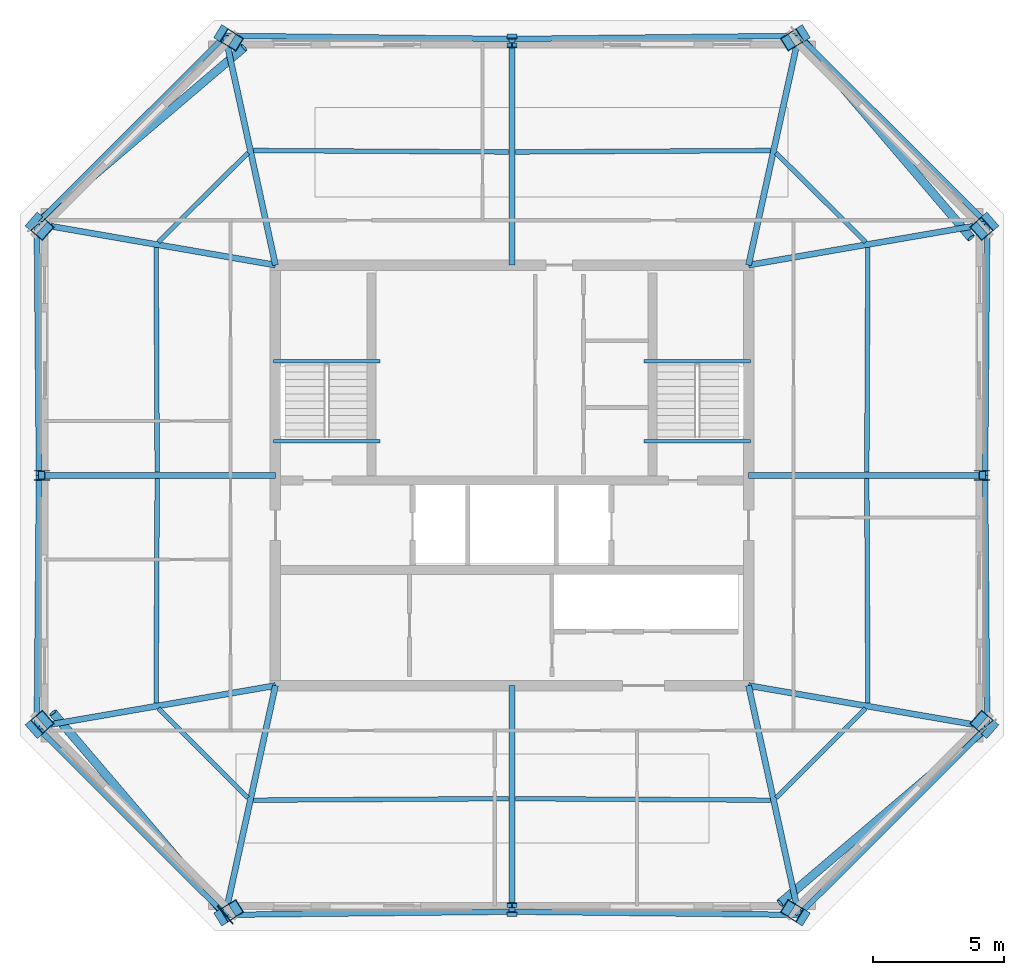
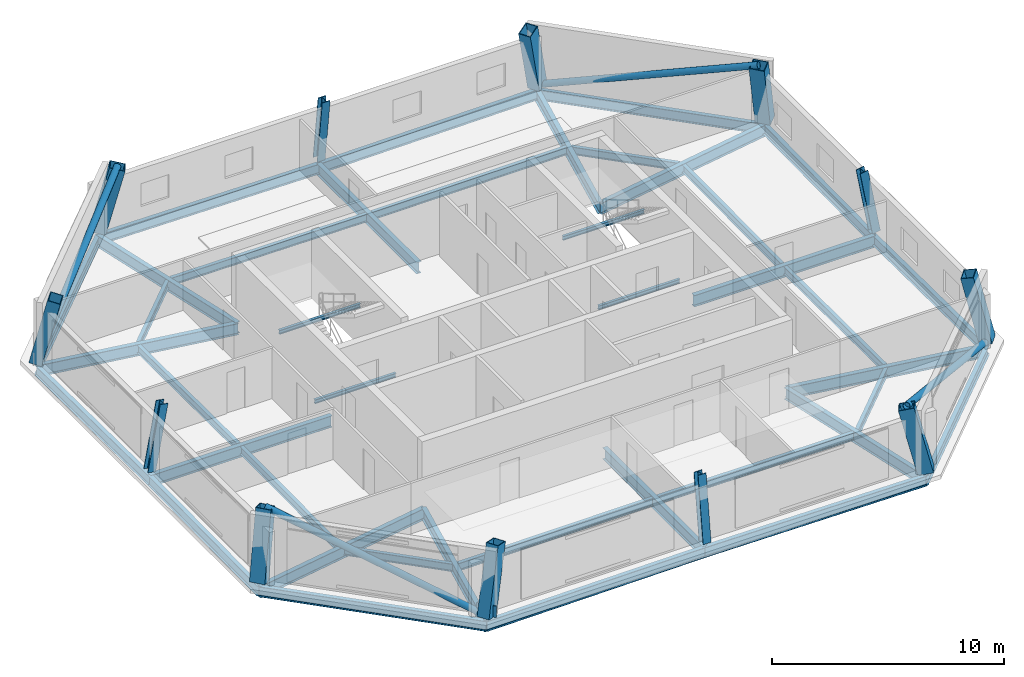
# One storey, part 1 of 6: 40 beams, 12 columns, 4 members, 1 plate.
"""IFC4 building model written with IfcOpenShell, lengths in metres."""

from ifc_helpers import new_model, si_unit, direction, frame, origin, origin_2d, place, context, subcontext, project, spatial, rectangle, hollow_rectangle, hollow_circle, i_section, extrude, material, layer, layer_set, material_profile, profile_set, type_object, element, save


model = new_model("IFC4")

# Units and contexts
model_context = context("Model", 3, precision=1e-05, world=origin(), true_north=direction((0.0, 1.0)))
body_context = subcontext(model_context, "Body", "Model", "MODEL_VIEW")
ifc_project = project(units=[si_unit("LENGTHUNIT", "METRE"), si_unit("AREAUNIT", "SQUARE_METRE"), si_unit("VOLUMEUNIT", "CUBIC_METRE"), si_unit("PLANEANGLEUNIT", "RADIAN"), si_unit("MASSUNIT", "GRAM", prefix="KILO")], contexts=[model_context])

# Site, building, storey
site_placement = place(None, origin())
site = spatial("IfcSite", under=ifc_project, at=site_placement, CompositionType="ELEMENT")
building_placement = place(site_placement, origin())
building = spatial("IfcBuilding", under=site, at=building_placement, Name="Caelvoria Tower", CompositionType="ELEMENT")
storey_placement = place(building_placement, frame((0.0, 0.0, 268.199951171875)))
storey = spatial("IfcBuildingStorey", under=building, at=storey_placement, Name="L71", CompositionType="ELEMENT", Elevation=268.199951171875)

# Columns
ifc_material_1 = material(Name="Structural Steel ASTM A572 Gr.50", Category="steel")
ifc_material_profile_1 = material_profile(ifc_material_1, hollow_rectangle(XDim=0.580078125, YDim=0.699951171875, WallThickness=0.031982421875, at=origin_2d()), Name="Structural Steel ASTM A572 Gr.50")
ifc_profile_set_1 = profile_set([ifc_material_profile_1], Name="BOX700X580X32 - Structural Steel ASTM A572 Gr.50")
column_type_1 = type_object("IfcColumnType", Name="Mega Box Column 700x580x32", PredefinedType="COLUMN", material=ifc_profile_set_1)
for number, where, z_axis, x_axis, name in (
    (1, (35.0888671875, 15.275634765625, 0.0), (0.204686751755, 0.127630689066, 0.97047088615), (-0.529108691454, 0.848554059932, 0.0), "Perimeter Megaframe Column L71-P00"),
    (2, (56.9111328125, 15.275634765625, 0.0), (-0.204686751755, 0.127630689066, 0.97047088615), (-0.529108691454, -0.848554059932, 0.0), "Perimeter Megaframe Column L71-P02"),
):
    element("IfcColumn", number, at=place(storey_placement, frame(where, z_axis=z_axis, x_axis=x_axis)), inside=storey, type_object=column_type_1, Name=name, PredefinedType="COLUMN", context=body_context, shape_type="SweptSolid", body=[
        extrude(hollow_rectangle(XDim=0.580078125, YDim=0.699951171875, WallThickness=0.031982421875, at=origin_2d()), origin(), (0.0, 0.0, 1.0), 3.4755859375),
    ])
for number, where, z_axis, x_axis, name in (
    (3, (64.086181640625, 22.427734375, 0.0), (-0.177666210098, 0.155370015085, 0.971748360535), (0.731494530151, -0.639695731236, 0.236019329289), "Perimeter Megaframe Column L71-P03"),
    (4, (64.086181640625, 41.572265625, 0.0), (-0.177666210098, -0.155370015085, 0.971748360535), (0.731494530151, 0.639695731236, 0.236019329289), "Perimeter Megaframe Column L71-P05"),
):
    element("IfcColumn", number, at=place(storey_placement, frame(where, z_axis=z_axis, x_axis=x_axis)), inside=storey, type_object=column_type_1, Name=name, PredefinedType="COLUMN", context=body_context, shape_type="SweptSolid", body=[
        extrude(hollow_rectangle(XDim=0.580078125, YDim=0.699951171875, WallThickness=0.031982421875, at=origin_2d()), origin(), (0.0, 0.0, 1.0), 3.47119140625),
    ])
for number, where, z_axis, x_axis, name in (
    (5, (56.9111328125, 48.724365234375, 0.0), (-0.204686751755, -0.127630689066, 0.97047088615), (0.529108691454, -0.848554059932, 0.0), "Perimeter Megaframe Column L71-P06"),
    (6, (35.0888671875, 48.724365234375, 0.0), (0.204686751755, -0.127630689066, 0.97047088615), (0.529108691454, 0.848554059932, 0.0), "Perimeter Megaframe Column L71-P08"),
):
    element("IfcColumn", number, at=place(storey_placement, frame(where, z_axis=z_axis, x_axis=x_axis)), inside=storey, type_object=column_type_1, Name=name, PredefinedType="COLUMN", context=body_context, shape_type="SweptSolid", body=[
        extrude(hollow_rectangle(XDim=0.580078125, YDim=0.699951171875, WallThickness=0.031982421875, at=origin_2d()), origin(), (0.0, 0.0, 1.0), 3.4755859375),
    ])
for number, where, z_axis, x_axis, name in (
    (7, (27.913818359375, 41.572265625, 0.0), (0.177666210098, -0.155370015085, 0.971748360535), (-0.731494530151, 0.639695731236, 0.236019329289), "Perimeter Megaframe Column L71-P09"),
    (8, (27.913818359375, 22.427734375, 0.0), (0.177666210098, 0.155370015085, 0.971748360535), (-0.731494530151, -0.639695731236, 0.236019329289), "Perimeter Megaframe Column L71-P11"),
):
    element("IfcColumn", number, at=place(storey_placement, frame(where, z_axis=z_axis, x_axis=x_axis)), inside=storey, type_object=column_type_1, Name=name, PredefinedType="COLUMN", context=body_context, shape_type="SweptSolid", body=[
        extrude(hollow_rectangle(XDim=0.580078125, YDim=0.699951171875, WallThickness=0.031982421875, at=origin_2d()), origin(), (0.0, 0.0, 1.0), 3.47119140625),
    ])
ifc_material_2 = material(Name="Structural Steel ASTM A992 Gr.50", Category="steel")
ifc_material_profile_2 = material_profile(ifc_material_2, i_section(OverallWidth=0.39501953125, OverallDepth=0.3798828125, WebThickness=0.018798828125, FlangeThickness=0.0302734375, FilletRadius=0.02490234375, at=origin_2d()), Name="Structural Steel ASTM A992 Gr.50")
ifc_profile_set_2 = profile_set([ifc_material_profile_2], Name="W360X237 - Structural Steel ASTM A992 Gr.50")
column_type_2 = type_object("IfcColumnType", Name="Summit Frame Column W360X237", PredefinedType="COLUMN", material=ifc_profile_set_2)
column_1_placement = place(storey_placement, frame((46.0, 15.392578125, 0.0), z_axis=(0.0, 0.128344855493, 0.99172959927), x_axis=(-1.0, 0.0, 0.0)))
element("IfcColumn", 9, at=column_1_placement, inside=storey, type_object=column_type_2, Name="Perimeter Megaframe Column L71-P01", PredefinedType="COLUMN", context=body_context, shape_type="SweptSolid", body=[
    extrude(i_section(OverallWidth=0.39501953125, OverallDepth=0.3798828125, WebThickness=0.018798828125, FlangeThickness=0.0302734375, FilletRadius=0.02490234375, at=origin_2d()), origin(), (0.0, 0.0, 1.0), 3.401123046875),
])
column_2_placement = place(storey_placement, frame((64.002685546875, 32.0, 0.0), z_axis=(-0.178954370443, 0.0, 0.98385737447), x_axis=(0.98385737447, 0.0, 0.178954370443)))
element("IfcColumn", 10, at=column_2_placement, inside=storey, type_object=column_type_2, Name="Perimeter Megaframe Column L71-P04", PredefinedType="COLUMN", context=body_context, shape_type="SweptSolid", body=[
    extrude(i_section(OverallWidth=0.39501953125, OverallDepth=0.3798828125, WebThickness=0.018798828125, FlangeThickness=0.0302734375, FilletRadius=0.02490234375, at=origin_2d()), origin(), (0.0, 0.0, 1.0), 3.428466796875),
])
column_3_placement = place(storey_placement, frame((46.0, 48.607421875, 0.0), z_axis=(0.0, -0.128344855493, 0.99172959927), x_axis=(1.0, 0.0, 0.0)))
element("IfcColumn", 11, at=column_3_placement, inside=storey, type_object=column_type_2, Name="Perimeter Megaframe Column L71-P07", PredefinedType="COLUMN", context=body_context, shape_type="SweptSolid", body=[
    extrude(i_section(OverallWidth=0.39501953125, OverallDepth=0.3798828125, WebThickness=0.018798828125, FlangeThickness=0.0302734375, FilletRadius=0.02490234375, at=origin_2d()), origin(), (0.0, 0.0, 1.0), 3.401123046875),
])
column_4_placement = place(storey_placement, frame((27.997314453125, 32.0, 0.0), z_axis=(0.178954370443, 0.0, 0.98385737447), x_axis=(-0.98385737447, 0.0, 0.178954370443)))
element("IfcColumn", 12, at=column_4_placement, inside=storey, type_object=column_type_2, Name="Perimeter Megaframe Column L71-P10", PredefinedType="COLUMN", context=body_context, shape_type="SweptSolid", body=[
    extrude(i_section(OverallWidth=0.39501953125, OverallDepth=0.3798828125, WebThickness=0.018798828125, FlangeThickness=0.0302734375, FilletRadius=0.02490234375, at=origin_2d()), origin(), (0.0, 0.0, 1.0), 3.428466796875),
])

# Beams
ifc_material_profile_3 = material_profile(ifc_material_2, i_section(OverallWidth=0.134033203125, OverallDepth=0.2099609375, WebThickness=0.00634765625, FlangeThickness=0.01025390625, FilletRadius=0.010009765625, at=origin_2d()), Name="Structural Steel ASTM A992 Gr.50")
ifc_profile_set_3 = profile_set([ifc_material_profile_3], Name="W200X31.3 - Structural Steel ASTM A992 Gr.50")
beam_type_1 = type_object("IfcBeamType", Name="Canopy Edge Trim Beam W200X31.3", PredefinedType="BEAM", material=ifc_profile_set_3)
for number, where, z_axis, x_axis, name in (
    (13, (36.929931640625, 36.35009765625, 1.4951171875), (1.0, 0.0, 0.0), (0.0, 1.0, 0.0), "ST-01 Half-Landing Support Beam L71"),
    (14, (36.929931640625, 33.300048828125, -0.304931640625), (1.0, 0.0, 0.0), (0.0, 1.0, 0.0), "ST-01 Floor-Landing Support Beam L71"),
    (15, (51.030029296875, 36.35009765625, 1.4951171875), (1.0, 0.0, 0.0), (0.0, 1.0, 0.0), "ST-02 Half-Landing Support Beam L71"),
    (16, (51.030029296875, 33.300048828125, -0.304931640625), (1.0, 0.0, 0.0), (0.0, 1.0, 0.0), "ST-02 Floor-Landing Support Beam L71"),
):
    element("IfcBeam", number, at=place(storey_placement, frame(where, z_axis=z_axis, x_axis=x_axis)), inside=storey, type_object=beam_type_1, Name=name, PredefinedType="BEAM", context=body_context, shape_type="SweptSolid", body=[
        extrude(i_section(OverallWidth=0.134033203125, OverallDepth=0.2099609375, WebThickness=0.00634765625, FlangeThickness=0.01025390625, FilletRadius=0.010009765625, at=origin_2d()), origin(), (0.0, 0.0, 1.0), 4.0400390625),
    ])
ifc_material_profile_4 = material_profile(ifc_material_2, i_section(OverallWidth=0.22802734375, OverallDepth=0.60302734375, WebThickness=0.010498046875, FlangeThickness=0.014892578125, FilletRadius=0.01806640625, at=origin_2d()), Name="Structural Steel ASTM A992 Gr.50")
ifc_profile_set_4 = profile_set([ifc_material_profile_4], Name="W610X101 - Structural Steel ASTM A992 Gr.50")
beam_type_2 = type_object("IfcBeamType", Name="Primary Floor Girder W610X101", PredefinedType="BEAM", material=ifc_profile_set_4)
beam_1_placement = place(storey_placement, frame((37.0, 24.0, -0.5263671875), z_axis=(-0.213983014438, -0.976837381314, 0.0), x_axis=(0.976837381314, -0.213983014438, 0.0)))
element("IfcBeam", 17, at=beam_1_placement, inside=storey, type_object=beam_type_2, Name="Primary Floor Girder L71-00", PredefinedType="BEAM", context=body_context, shape_type="SweptSolid", body=[
    extrude(i_section(OverallWidth=0.22802734375, OverallDepth=0.60302734375, WebThickness=0.010498046875, FlangeThickness=0.014892578125, FilletRadius=0.01806640625, at=origin_2d()), origin(), (0.0, 0.0, 1.0), 8.93115234375),
])
beam_2_placement = place(storey_placement, frame((46.0, 24.0, -0.5263671875), z_axis=(0.0, -1.0, 0.0), x_axis=(1.0, 0.0, 0.0)))
element("IfcBeam", 18, at=beam_2_placement, inside=storey, type_object=beam_type_2, Name="Primary Floor Girder L71-01", PredefinedType="BEAM", context=body_context, shape_type="SweptSolid", body=[
    extrude(i_section(OverallWidth=0.22802734375, OverallDepth=0.60302734375, WebThickness=0.010498046875, FlangeThickness=0.014892578125, FilletRadius=0.01806640625, at=origin_2d()), origin(), (0.0, 0.0, 1.0), 8.607421875),
])
beam_3_placement = place(storey_placement, frame((55.0, 24.0, -0.5263671875), z_axis=(0.213983014438, -0.976837381314, 0.0), x_axis=(0.976837381314, 0.213983014438, 0.0)))
element("IfcBeam", 19, at=beam_3_placement, inside=storey, type_object=beam_type_2, Name="Primary Floor Girder L71-02", PredefinedType="BEAM", context=body_context, shape_type="SweptSolid", body=[
    extrude(i_section(OverallWidth=0.22802734375, OverallDepth=0.60302734375, WebThickness=0.010498046875, FlangeThickness=0.014892578125, FilletRadius=0.01806640625, at=origin_2d()), origin(), (0.0, 0.0, 1.0), 8.93115234375),
])
beam_4_placement = place(storey_placement, frame((55.0, 24.0, -0.5263671875), z_axis=(0.985356751055, -0.170505346395, 0.0), x_axis=(0.170505346395, 0.985356751055, 0.0)))
element("IfcBeam", 20, at=beam_4_placement, inside=storey, type_object=beam_type_2, Name="Primary Floor Girder L71-03", PredefinedType="BEAM", context=body_context, shape_type="SweptSolid", body=[
    extrude(i_section(OverallWidth=0.22802734375, OverallDepth=0.60302734375, WebThickness=0.010498046875, FlangeThickness=0.014892578125, FilletRadius=0.01806640625, at=origin_2d()), origin(), (0.0, 0.0, 1.0), 9.22119140625),
])
beam_5_placement = place(storey_placement, frame((55.0, 32.0, -0.5263671875), z_axis=(1.0, 0.0, 0.0), x_axis=(0.0, 1.0, 0.0)))
element("IfcBeam", 21, at=beam_5_placement, inside=storey, type_object=beam_type_2, Name="Primary Floor Girder L71-04", PredefinedType="BEAM", context=body_context, shape_type="SweptSolid", body=[
    extrude(i_section(OverallWidth=0.22802734375, OverallDepth=0.60302734375, WebThickness=0.010498046875, FlangeThickness=0.014892578125, FilletRadius=0.01806640625, at=origin_2d()), origin(), (0.0, 0.0, 1.0), 9.002685546875),
])
beam_6_placement = place(storey_placement, frame((55.0, 40.0, -0.5263671875), z_axis=(0.985356751055, 0.170505346395, 0.0), x_axis=(-0.170505346395, 0.985356751055, 0.0)))
element("IfcBeam", 22, at=beam_6_placement, inside=storey, type_object=beam_type_2, Name="Primary Floor Girder L71-05", PredefinedType="BEAM", context=body_context, shape_type="SweptSolid", body=[
    extrude(i_section(OverallWidth=0.22802734375, OverallDepth=0.60302734375, WebThickness=0.010498046875, FlangeThickness=0.014892578125, FilletRadius=0.01806640625, at=origin_2d()), origin(), (0.0, 0.0, 1.0), 9.22119140625),
])
beam_7_placement = place(storey_placement, frame((55.0, 40.0, -0.5263671875), z_axis=(0.213983014438, 0.976837381314, 0.0), x_axis=(-0.976837381314, 0.213983014438, 0.0)))
element("IfcBeam", 23, at=beam_7_placement, inside=storey, type_object=beam_type_2, Name="Primary Floor Girder L71-06", PredefinedType="BEAM", context=body_context, shape_type="SweptSolid", body=[
    extrude(i_section(OverallWidth=0.22802734375, OverallDepth=0.60302734375, WebThickness=0.010498046875, FlangeThickness=0.014892578125, FilletRadius=0.01806640625, at=origin_2d()), origin(), (0.0, 0.0, 1.0), 8.93115234375),
])
beam_8_placement = place(storey_placement, frame((46.0, 40.0, -0.5263671875), z_axis=(0.0, 1.0, 0.0), x_axis=(-1.0, 0.0, 0.0)))
element("IfcBeam", 24, at=beam_8_placement, inside=storey, type_object=beam_type_2, Name="Primary Floor Girder L71-07", PredefinedType="BEAM", context=body_context, shape_type="SweptSolid", body=[
    extrude(i_section(OverallWidth=0.22802734375, OverallDepth=0.60302734375, WebThickness=0.010498046875, FlangeThickness=0.014892578125, FilletRadius=0.01806640625, at=origin_2d()), origin(), (0.0, 0.0, 1.0), 8.607421875),
])
beam_9_placement = place(storey_placement, frame((37.0, 40.0, -0.5263671875), z_axis=(-0.213983014438, 0.976837381314, 0.0), x_axis=(-0.976837381314, -0.213983014438, 0.0)))
element("IfcBeam", 25, at=beam_9_placement, inside=storey, type_object=beam_type_2, Name="Primary Floor Girder L71-08", PredefinedType="BEAM", context=body_context, shape_type="SweptSolid", body=[
    extrude(i_section(OverallWidth=0.22802734375, OverallDepth=0.60302734375, WebThickness=0.010498046875, FlangeThickness=0.014892578125, FilletRadius=0.01806640625, at=origin_2d()), origin(), (0.0, 0.0, 1.0), 8.93115234375),
])
beam_10_placement = place(storey_placement, frame((37.0, 40.0, -0.5263671875), z_axis=(-0.985356751055, 0.170505346395, 0.0), x_axis=(-0.170505346395, -0.985356751055, 0.0)))
element("IfcBeam", 26, at=beam_10_placement, inside=storey, type_object=beam_type_2, Name="Primary Floor Girder L71-09", PredefinedType="BEAM", context=body_context, shape_type="SweptSolid", body=[
    extrude(i_section(OverallWidth=0.22802734375, OverallDepth=0.60302734375, WebThickness=0.010498046875, FlangeThickness=0.014892578125, FilletRadius=0.01806640625, at=origin_2d()), origin(), (0.0, 0.0, 1.0), 9.22119140625),
])
beam_11_placement = place(storey_placement, frame((37.0, 32.0, -0.5263671875), z_axis=(-1.0, 0.0, 0.0), x_axis=(0.0, -1.0, 0.0)))
element("IfcBeam", 27, at=beam_11_placement, inside=storey, type_object=beam_type_2, Name="Primary Floor Girder L71-10", PredefinedType="BEAM", context=body_context, shape_type="SweptSolid", body=[
    extrude(i_section(OverallWidth=0.22802734375, OverallDepth=0.60302734375, WebThickness=0.010498046875, FlangeThickness=0.014892578125, FilletRadius=0.01806640625, at=origin_2d()), origin(), (0.0, 0.0, 1.0), 9.002685546875),
])
beam_12_placement = place(storey_placement, frame((37.0, 24.0, -0.5263671875), z_axis=(-0.985356751055, -0.170505346395, 0.0), x_axis=(0.170505346395, -0.985356751055, 0.0)))
element("IfcBeam", 28, at=beam_12_placement, inside=storey, type_object=beam_type_2, Name="Primary Floor Girder L71-11", PredefinedType="BEAM", context=body_context, shape_type="SweptSolid", body=[
    extrude(i_section(OverallWidth=0.22802734375, OverallDepth=0.60302734375, WebThickness=0.010498046875, FlangeThickness=0.014892578125, FilletRadius=0.01806640625, at=origin_2d()), origin(), (0.0, 0.0, 1.0), 9.22119140625),
])
ifc_material_profile_5 = material_profile(ifc_material_2, i_section(OverallWidth=0.177978515625, OverallDepth=0.406982421875, WebThickness=0.0078125, FlangeThickness=0.0126953125, FilletRadius=0.013916015625, at=origin_2d()), Name="Structural Steel ASTM A992 Gr.50")
ifc_profile_set_5 = profile_set([ifc_material_profile_5], Name="W410X60 - Structural Steel ASTM A992 Gr.50")
beam_type_3 = type_object("IfcBeamType", Name="Secondary Floor Beam W410X60", PredefinedType="BEAM", material=ifc_profile_set_5)
for number, where, z_axis, x_axis, name in (
    (29, (36.16943359375, 19.638671875, -0.428466796875), (0.999982824516, 0.005860944763, 0.0), (-0.005860944763, 0.999982824516, 0.0), "Secondary Floor Beam L71-00"),
    (30, (46.125, 19.695556640625, -0.428466796875), (0.999982824516, -0.005860944763, 0.0), (0.005860944763, 0.999982824516, 0.0), "Secondary Floor Beam L71-01"),
):
    element("IfcBeam", number, at=place(storey_placement, frame(where, z_axis=z_axis, x_axis=x_axis)), inside=storey, type_object=beam_type_3, Name=name, PredefinedType="BEAM", context=body_context, shape_type="SweptSolid", body=[
        extrude(i_section(OverallWidth=0.177978515625, OverallDepth=0.406982421875, WebThickness=0.0078125, FlangeThickness=0.0126953125, FilletRadius=0.013916015625, at=origin_2d()), origin(), (0.0, 0.0, 1.0), 9.705810546875),
    ])
beam_13_placement = place(storey_placement, frame((56.044189453125, 19.72607421875, -0.428466796875), z_axis=(0.70822129044, 0.705990512519, 0.0), x_axis=(-0.705990512519, 0.70822129044, 0.0)))
element("IfcBeam", 31, at=beam_13_placement, inside=storey, type_object=beam_type_3, Name="Secondary Floor Beam L71-02", PredefinedType="BEAM", context=body_context, shape_type="SweptSolid", body=[
    extrude(i_section(OverallWidth=0.177978515625, OverallDepth=0.406982421875, WebThickness=0.0078125, FlangeThickness=0.0126953125, FilletRadius=0.013916015625, at=origin_2d()), origin(), (0.0, 0.0, 1.0), 4.8154296875),
])
for number, where, z_axis, x_axis, name in (
    (32, (59.54248046875, 23.3388671875, -0.428466796875), (-0.004747687025, 0.99998872967, 0.0), (-0.99998872967, -0.004747687025, 0.0), "Secondary Floor Beam L71-03"),
    (33, (59.501953125, 32.125, -0.428466796875), (0.004747687025, 0.99998872967, 0.0), (-0.99998872967, 0.004747687025, 0.0), "Secondary Floor Beam L71-04"),
):
    element("IfcBeam", number, at=place(storey_placement, frame(where, z_axis=z_axis, x_axis=x_axis)), inside=storey, type_object=beam_type_3, Name=name, PredefinedType="BEAM", context=body_context, shape_type="SweptSolid", body=[
        extrude(i_section(OverallWidth=0.177978515625, OverallDepth=0.406982421875, WebThickness=0.0078125, FlangeThickness=0.0126953125, FilletRadius=0.013916015625, at=origin_2d()), origin(), (0.0, 0.0, 1.0), 8.5361328125),
    ])
beam_14_placement = place(storey_placement, frame((59.45458984375, 40.874267578125, -0.428466796875), z_axis=(-0.70822129044, 0.705990512519, 0.0), x_axis=(-0.705990512519, -0.70822129044, 0.0)))
element("IfcBeam", 34, at=beam_14_placement, inside=storey, type_object=beam_type_3, Name="Secondary Floor Beam L71-05", PredefinedType="BEAM", context=body_context, shape_type="SweptSolid", body=[
    extrude(i_section(OverallWidth=0.177978515625, OverallDepth=0.406982421875, WebThickness=0.0078125, FlangeThickness=0.0126953125, FilletRadius=0.013916015625, at=origin_2d()), origin(), (0.0, 0.0, 1.0), 4.8154296875),
])
for number, where, z_axis, x_axis, name in (
    (35, (55.83056640625, 44.361328125, -0.428466796875), (-0.999982824516, -0.005860944763, 0.0), (0.005860944763, -0.999982824516, 0.0), "Secondary Floor Beam L71-06"),
    (36, (45.875, 44.304443359375, -0.428466796875), (-0.999982824516, 0.005860944763, 0.0), (-0.005860944763, -0.999982824516, 0.0), "Secondary Floor Beam L71-07"),
):
    element("IfcBeam", number, at=place(storey_placement, frame(where, z_axis=z_axis, x_axis=x_axis)), inside=storey, type_object=beam_type_3, Name=name, PredefinedType="BEAM", context=body_context, shape_type="SweptSolid", body=[
        extrude(i_section(OverallWidth=0.177978515625, OverallDepth=0.406982421875, WebThickness=0.0078125, FlangeThickness=0.0126953125, FilletRadius=0.013916015625, at=origin_2d()), origin(), (0.0, 0.0, 1.0), 9.705810546875),
    ])
beam_15_placement = place(storey_placement, frame((35.955810546875, 44.27392578125, -0.428466796875), z_axis=(-0.70822129044, -0.705990512519, 0.0), x_axis=(0.705990512519, -0.70822129044, 0.0)))
element("IfcBeam", 37, at=beam_15_placement, inside=storey, type_object=beam_type_3, Name="Secondary Floor Beam L71-08", PredefinedType="BEAM", context=body_context, shape_type="SweptSolid", body=[
    extrude(i_section(OverallWidth=0.177978515625, OverallDepth=0.406982421875, WebThickness=0.0078125, FlangeThickness=0.0126953125, FilletRadius=0.013916015625, at=origin_2d()), origin(), (0.0, 0.0, 1.0), 4.8154296875),
])
for number, where, z_axis, x_axis, name in (
    (38, (32.45751953125, 40.6611328125, -0.428466796875), (0.004747687025, -0.99998872967, 0.0), (0.99998872967, 0.004747687025, 0.0), "Secondary Floor Beam L71-09"),
    (39, (32.498046875, 31.875, -0.428466796875), (-0.004747687025, -0.99998872967, 0.0), (0.99998872967, -0.004747687025, 0.0), "Secondary Floor Beam L71-10"),
):
    element("IfcBeam", number, at=place(storey_placement, frame(where, z_axis=z_axis, x_axis=x_axis)), inside=storey, type_object=beam_type_3, Name=name, PredefinedType="BEAM", context=body_context, shape_type="SweptSolid", body=[
        extrude(i_section(OverallWidth=0.177978515625, OverallDepth=0.406982421875, WebThickness=0.0078125, FlangeThickness=0.0126953125, FilletRadius=0.013916015625, at=origin_2d()), origin(), (0.0, 0.0, 1.0), 8.5361328125),
    ])
beam_16_placement = place(storey_placement, frame((32.54541015625, 23.125732421875, -0.428466796875), z_axis=(0.70822129044, -0.705990512519, 0.0), x_axis=(0.705990512519, 0.70822129044, 0.0)))
element("IfcBeam", 40, at=beam_16_placement, inside=storey, type_object=beam_type_3, Name="Secondary Floor Beam L71-11", PredefinedType="BEAM", context=body_context, shape_type="SweptSolid", body=[
    extrude(i_section(OverallWidth=0.177978515625, OverallDepth=0.406982421875, WebThickness=0.0078125, FlangeThickness=0.0126953125, FilletRadius=0.013916015625, at=origin_2d()), origin(), (0.0, 0.0, 1.0), 4.8154296875),
])

# Members
ifc_material_profile_6 = material_profile(ifc_material_1, hollow_circle(Radius=0.162109375, WallThickness=0.0126953125, at=origin_2d()), Name="Structural Steel ASTM A572 Gr.50")
ifc_profile_set_6 = profile_set([ifc_material_profile_6], Name="CHS324X12.7 - Structural Steel ASTM A572 Gr.50")
member_type = type_object("IfcMemberType", Name="Summit Perimeter Mega Brace CHS324X12.7", PredefinedType="BRACE", material=ifc_profile_set_6)
member_1_placement = place(storey_placement, frame((64.086181640625, 22.427734375, 0.0), z_axis=(-0.724197456426, -0.616026304296, 0.309918757937), x_axis=(0.647928323452, -0.761701311321, 0.0)))
element("IfcMember", 41, at=member_1_placement, inside=storey, type_object=member_type, Name="Perimeter Chamfer Mega Brace L71 SE", PredefinedType="BRACE", context=body_context, shape_type="SweptSolid", body=[
    extrude(hollow_circle(Radius=0.162109375, WallThickness=0.0126953125, at=origin_2d()), origin(), (0.0, 0.0, 1.0), 10.889892578125),
])
member_2_placement = place(storey_placement, frame((56.9111328125, 48.724365234375, 0.0), z_axis=(0.615433722427, -0.721759445756, 0.31670907117), x_axis=(0.760930049401, 0.648833923218, 0.0)))
element("IfcMember", 42, at=member_2_placement, inside=storey, type_object=member_type, Name="Perimeter Chamfer Mega Brace L71 NE", PredefinedType="BRACE", context=body_context, shape_type="SweptSolid", body=[
    extrude(hollow_circle(Radius=0.162109375, WallThickness=0.0126953125, at=origin_2d()), origin(), (0.0, 0.0, 1.0), 10.656494140625),
])
member_3_placement = place(storey_placement, frame((27.913818359375, 41.572265625, 0.0), z_axis=(0.724197456426, 0.616026304296, 0.309918757937), x_axis=(-0.647928323452, 0.761701311321, 0.0)))
element("IfcMember", 43, at=member_3_placement, inside=storey, type_object=member_type, Name="Perimeter Chamfer Mega Brace L71 NW", PredefinedType="BRACE", context=body_context, shape_type="SweptSolid", body=[
    extrude(hollow_circle(Radius=0.162109375, WallThickness=0.0126953125, at=origin_2d()), origin(), (0.0, 0.0, 1.0), 10.889892578125),
])
member_4_placement = place(storey_placement, frame((35.0888671875, 15.275634765625, 0.0), z_axis=(-0.615433722427, 0.721759445756, 0.31670907117), x_axis=(-0.760930049401, -0.648833923218, 0.0)))
element("IfcMember", 44, at=member_4_placement, inside=storey, type_object=member_type, Name="Perimeter Chamfer Mega Brace L71 SW", PredefinedType="BRACE", context=body_context, shape_type="SweptSolid", body=[
    extrude(hollow_circle(Radius=0.162109375, WallThickness=0.0126953125, at=origin_2d()), origin(), (0.0, 0.0, 1.0), 10.656494140625),
])

# Beams
ifc_material_profile_7 = material_profile(ifc_material_2, i_section(OverallWidth=0.208984375, OverallDepth=0.532958984375, WebThickness=0.01025390625, FlangeThickness=0.015625, FilletRadius=0.01611328125, at=origin_2d()), Name="Structural Steel ASTM A992 Gr.50")
ifc_profile_set_7 = profile_set([ifc_material_profile_7], Name="W530X92 - Structural Steel ASTM A992 Gr.50")
beam_type_4 = type_object("IfcBeamType", Name="Upper Zone Spandrel W530X92", PredefinedType="BEAM", material=ifc_profile_set_7)
for number, where, z_axis, x_axis, name in (
    (45, (35.0888671875, 15.275634765625, -0.491455078125), (0.99994256931, 0.010717186313, 0.0), (-0.010717186313, 0.99994256931, 0.0), "Perimeter Spandrel Girder L71-00"),
    (46, (46.0, 15.392578125, -0.491455078125), (0.99994256931, -0.010717186313, 0.0), (0.010717186313, 0.99994256931, 0.0), "Perimeter Spandrel Girder L71-01"),
):
    element("IfcBeam", number, at=place(storey_placement, frame(where, z_axis=z_axis, x_axis=x_axis)), inside=storey, type_object=beam_type_4, Name=name, PredefinedType="BEAM", context=body_context, shape_type="SweptSolid", body=[
        extrude(i_section(OverallWidth=0.208984375, OverallDepth=0.532958984375, WebThickness=0.01025390625, FlangeThickness=0.015625, FilletRadius=0.01611328125, at=origin_2d()), origin(), (0.0, 0.0, 1.0), 10.911865234375),
    ])
beam_17_placement = place(storey_placement, frame((56.9111328125, 15.275634765625, -0.491455078125), z_axis=(0.708238515868, 0.705973232241, 0.0), x_axis=(-0.705973232241, 0.708238515868, 0.0)))
element("IfcBeam", 47, at=beam_17_placement, inside=storey, type_object=beam_type_4, Name="Perimeter Spandrel Girder L71-02", PredefinedType="BEAM", context=body_context, shape_type="SweptSolid", body=[
    extrude(i_section(OverallWidth=0.208984375, OverallDepth=0.532958984375, WebThickness=0.01025390625, FlangeThickness=0.015625, FilletRadius=0.01611328125, at=origin_2d()), origin(), (0.0, 0.0, 1.0), 10.130859375),
])
for number, where, z_axis, x_axis, name in (
    (48, (64.086181640625, 22.427734375, -0.491455078125), (-0.008722377833, 0.999961959339, 0.0), (-0.999961959339, -0.008722377833, 0.0), "Perimeter Spandrel Girder L71-03"),
    (49, (64.002685546875, 32.0, -0.491455078125), (0.008722377833, 0.999961959339, 0.0), (-0.999961959339, 0.008722377833, 0.0), "Perimeter Spandrel Girder L71-04"),
):
    element("IfcBeam", number, at=place(storey_placement, frame(where, z_axis=z_axis, x_axis=x_axis)), inside=storey, type_object=beam_type_4, Name=name, PredefinedType="BEAM", context=body_context, shape_type="SweptSolid", body=[
        extrude(i_section(OverallWidth=0.208984375, OverallDepth=0.532958984375, WebThickness=0.01025390625, FlangeThickness=0.015625, FilletRadius=0.01611328125, at=origin_2d()), origin(), (0.0, 0.0, 1.0), 9.572509765625),
    ])
beam_18_placement = place(storey_placement, frame((64.086181640625, 41.572265625, -0.491455078125), z_axis=(-0.708238515868, 0.705973232241, 0.0), x_axis=(-0.705973232241, -0.708238515868, 0.0)))
element("IfcBeam", 50, at=beam_18_placement, inside=storey, type_object=beam_type_4, Name="Perimeter Spandrel Girder L71-05", PredefinedType="BEAM", context=body_context, shape_type="SweptSolid", body=[
    extrude(i_section(OverallWidth=0.208984375, OverallDepth=0.532958984375, WebThickness=0.01025390625, FlangeThickness=0.015625, FilletRadius=0.01611328125, at=origin_2d()), origin(), (0.0, 0.0, 1.0), 10.130859375),
])
for number, where, z_axis, x_axis, name in (
    (51, (56.9111328125, 48.724365234375, -0.491455078125), (-0.99994256931, -0.010717186313, 0.0), (0.010717186313, -0.99994256931, 0.0), "Perimeter Spandrel Girder L71-06"),
    (52, (46.0, 48.607421875, -0.491455078125), (-0.99994256931, 0.010717186313, 0.0), (-0.010717186313, -0.99994256931, 0.0), "Perimeter Spandrel Girder L71-07"),
):
    element("IfcBeam", number, at=place(storey_placement, frame(where, z_axis=z_axis, x_axis=x_axis)), inside=storey, type_object=beam_type_4, Name=name, PredefinedType="BEAM", context=body_context, shape_type="SweptSolid", body=[
        extrude(i_section(OverallWidth=0.208984375, OverallDepth=0.532958984375, WebThickness=0.01025390625, FlangeThickness=0.015625, FilletRadius=0.01611328125, at=origin_2d()), origin(), (0.0, 0.0, 1.0), 10.911865234375),
    ])
beam_19_placement = place(storey_placement, frame((35.0888671875, 48.724365234375, -0.491455078125), z_axis=(-0.708238515868, -0.705973232241, 0.0), x_axis=(0.705973232241, -0.708238515868, 0.0)))
element("IfcBeam", 53, at=beam_19_placement, inside=storey, type_object=beam_type_4, Name="Perimeter Spandrel Girder L71-08", PredefinedType="BEAM", context=body_context, shape_type="SweptSolid", body=[
    extrude(i_section(OverallWidth=0.208984375, OverallDepth=0.532958984375, WebThickness=0.01025390625, FlangeThickness=0.015625, FilletRadius=0.01611328125, at=origin_2d()), origin(), (0.0, 0.0, 1.0), 10.130859375),
])
for number, where, z_axis, x_axis, name in (
    (54, (27.913818359375, 41.572265625, -0.491455078125), (0.008722377833, -0.999961959339, 0.0), (0.999961959339, 0.008722377833, 0.0), "Perimeter Spandrel Girder L71-09"),
    (55, (27.997314453125, 32.0, -0.491455078125), (-0.008722377833, -0.999961959339, 0.0), (0.999961959339, -0.008722377833, 0.0), "Perimeter Spandrel Girder L71-10"),
):
    element("IfcBeam", number, at=place(storey_placement, frame(where, z_axis=z_axis, x_axis=x_axis)), inside=storey, type_object=beam_type_4, Name=name, PredefinedType="BEAM", context=body_context, shape_type="SweptSolid", body=[
        extrude(i_section(OverallWidth=0.208984375, OverallDepth=0.532958984375, WebThickness=0.01025390625, FlangeThickness=0.015625, FilletRadius=0.01611328125, at=origin_2d()), origin(), (0.0, 0.0, 1.0), 9.572509765625),
    ])
beam_20_placement = place(storey_placement, frame((27.913818359375, 22.427734375, -0.491455078125), z_axis=(0.708238515868, -0.705973232241, 0.0), x_axis=(0.705973232241, 0.708238515868, 0.0)))
element("IfcBeam", 56, at=beam_20_placement, inside=storey, type_object=beam_type_4, Name="Perimeter Spandrel Girder L71-11", PredefinedType="BEAM", context=body_context, shape_type="SweptSolid", body=[
    extrude(i_section(OverallWidth=0.208984375, OverallDepth=0.532958984375, WebThickness=0.01025390625, FlangeThickness=0.015625, FilletRadius=0.01611328125, at=origin_2d()), origin(), (0.0, 0.0, 1.0), 10.130859375),
])

# Plate
ifc_layer = layer(ifc_material_1, 0.0400390625, Name="Structural Steel ASTM A572 Gr.50")
ifc_layer_set = layer_set([ifc_layer], Name="Megaframe Node Gusset Plate 900x600x40 - Structural Steel ASTM A572 Gr.50")
plate_type = type_object("IfcPlateType", Name="Megaframe Node Gusset Plate 900x600x40", PredefinedType="USERDEFINED", material=ifc_layer_set)
plate_placement = place(storey_placement, frame((35.0888671875, 15.275634765625, 0.02001953125), z_axis=(0.0, 0.0, 1.0), x_axis=(-0.648837346052, 0.760927130788, 0.0)))
element("IfcPlate", 57, at=plate_placement, inside=storey, type_object=plate_type, Name="Chamfer Mega Brace Gusset L71 SW", ObjectType="GUSSET_PLATE", PredefinedType="USERDEFINED", context=body_context, shape_type="SweptSolid", body=[
    extrude(rectangle(XDim=0.89990234375, YDim=0.0400390625, at=origin_2d()), origin(), (0.0, 0.0, 1.0), 0.60009765625),
])

save(model, "model.ifc")
